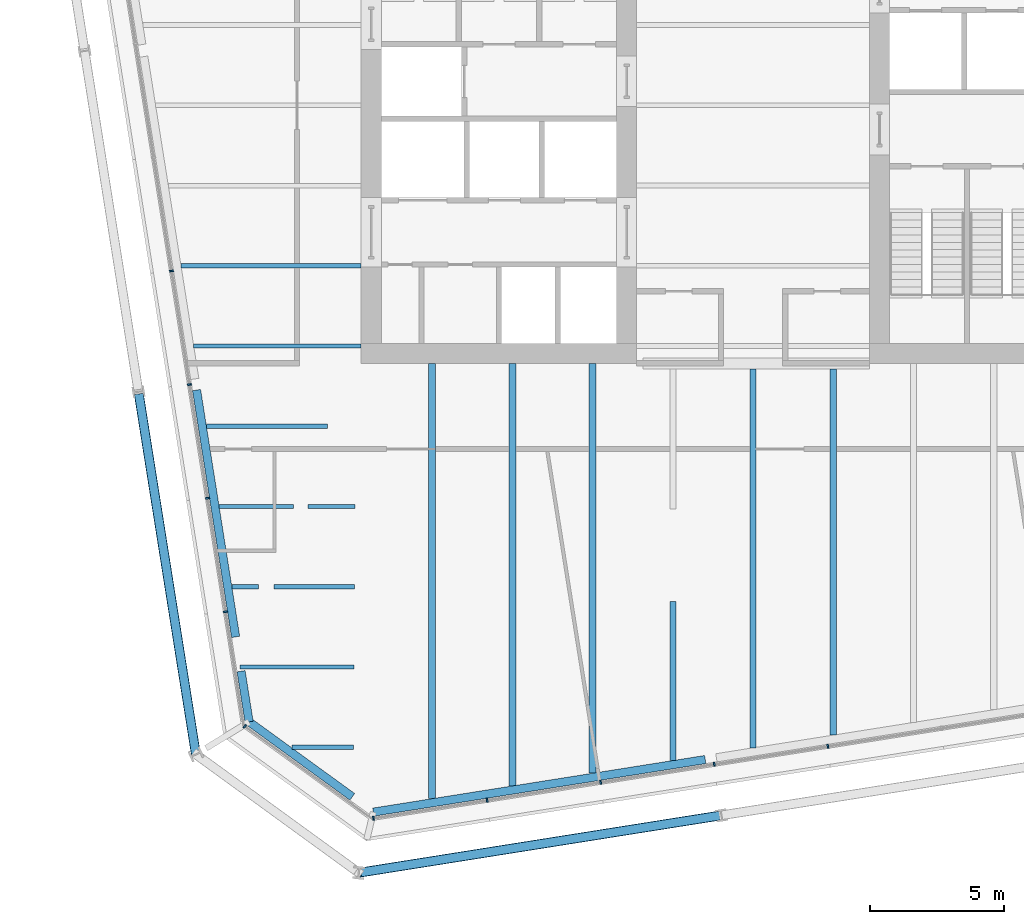
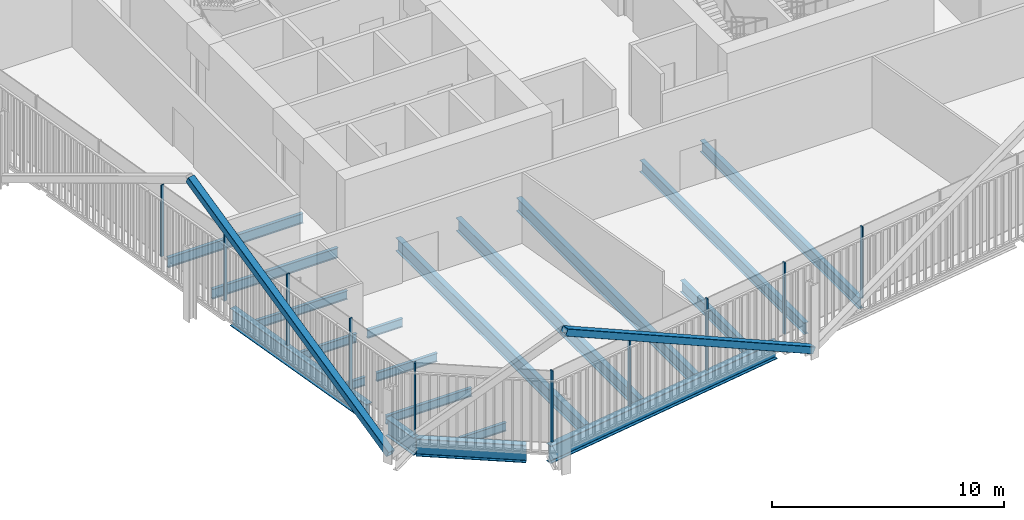
# One storey, part 2 of 19: 19 beams, 12 members, 3 elements without a shape of their own.
"""IFC4 building model written with IfcOpenShell, lengths in metres."""

from ifc_helpers import new_model, si_unit, direction, frame, origin, origin_2d, place, context, subcontext, project, spatial, rectangle, hollow_rectangle, i_section, extrude, material, layer, layer_set, material_profile, profile_set, type_object, element, aggregate, save


model = new_model("IFC4")

# Units and contexts
model_context = context("Model", 3, precision=1e-05, world=origin(), true_north=direction((0.0, 1.0)))
body_context = subcontext(model_context, "Body", "Model", "MODEL_VIEW")
ifc_project = project(units=[si_unit("LENGTHUNIT", "METRE"), si_unit("AREAUNIT", "SQUARE_METRE"), si_unit("VOLUMEUNIT", "CUBIC_METRE"), si_unit("PLANEANGLEUNIT", "RADIAN"), si_unit("MASSUNIT", "GRAM", prefix="KILO")], contexts=[model_context])

# Site, building, storey
site_placement = place(None, origin())
site = spatial("IfcSite", under=ifc_project, at=site_placement, CompositionType="ELEMENT")
building_placement = place(site_placement, origin())
building = spatial("IfcBuilding", under=site, at=building_placement, Name="Millrace Tower", CompositionType="ELEMENT")
storey_placement = place(building_placement, frame((0.0, 0.0, 129.5)))
storey = spatial("IfcBuildingStorey", under=building, at=storey_placement, Name="L28", CompositionType="ELEMENT", Elevation=129.5)

# Curtain wall, member
ifc_material_1 = material(Name="Aluminium and glass", Category="aluminium")
ifc_layer = layer(ifc_material_1, 0.14990234375)
ifc_layer_set = layer_set([ifc_layer], Name="Aluminium and glass")
curtain_wall_type = type_object("IfcCurtainWallType", Name="CW-1 office vision curtain wall", PredefinedType="NOTDEFINED", material=ifc_layer_set)
placement = place(storey_placement, origin())
curtain_wall_1 = element("IfcCurtainWall", 1, at=placement, inside=storey, type_object=curtain_wall_type, Name="Curtain wall C-F01 L28", PredefinedType="NOTDEFINED")
ifc_material_2 = material(Name="Aluminium", Category="aluminium")
ifc_material_profile_1 = material_profile(ifc_material_2, rectangle(XDim=0.06494140625, YDim=0.14990234375, at=origin_2d()))
ifc_profile_set_1 = profile_set([ifc_material_profile_1], Name="Aluminium")
member_type_1 = type_object("IfcMemberType", Name="CW-1 office vision curtain wall mullion", PredefinedType="MULLION", material=ifc_profile_set_1)
member_1_placement = place(storey_placement, frame((-19.00146484375, -23.2177734375, 0.139892578125), z_axis=(0.0, 0.0, 1.0), x_axis=(0.809016981623, -0.587785269844, 0.0)))
member_1 = element("IfcMember", 2, at=member_1_placement, type_object=member_type_1, Name="CW1 mullion C-F01.1", PredefinedType="MULLION", context=body_context, shape_type="SweptSolid", body=[
    extrude(rectangle(XDim=0.06494140625, YDim=0.14990234375, at=origin_2d()), origin(), (0.0, 0.0, 1.0), 3.760009765625),
])
aggregate(curtain_wall_1, [member_1])

# Curtain wall, members
curtain_wall_2 = element("IfcCurtainWall", 3, at=placement, inside=storey, type_object=curtain_wall_type, Name="Curtain wall C-F02 L28", PredefinedType="NOTDEFINED")
member_2_placement = place(storey_placement, frame((-14.191650390625, -26.65673828125, 0.139892578125), z_axis=(0.0, 0.0, 1.0), x_axis=(0.98768833929, 0.15643447328, 0.0)))
member_2 = element("IfcMember", 4, at=member_2_placement, type_object=member_type_1, Name="CW1 mullion C-F02.1", PredefinedType="MULLION", context=body_context, shape_type="SweptSolid", body=[
    extrude(rectangle(XDim=0.06494140625, YDim=0.14990234375, at=origin_2d()), origin(), (0.0, 0.0, 1.0), 3.760009765625),
])
member_3_placement = place(storey_placement, frame((-9.944580078125, -25.98388671875, 0.139892578125), z_axis=(0.0, 0.0, 1.0), x_axis=(0.98768833929, 0.15643447328, 0.0)))
member_3 = element("IfcMember", 5, at=member_3_placement, type_object=member_type_1, Name="CW1 mullion C-F02.2", PredefinedType="MULLION", context=body_context, shape_type="SweptSolid", body=[
    extrude(rectangle(XDim=0.06494140625, YDim=0.14990234375, at=origin_2d()), origin(), (0.0, 0.0, 1.0), 3.760009765625),
])
member_4_placement = place(storey_placement, frame((-5.697509765625, -25.311279296875, 0.139892578125), z_axis=(0.0, 0.0, 1.0), x_axis=(0.98768833929, 0.15643447328, 0.0)))
member_4 = element("IfcMember", 6, at=member_4_placement, type_object=member_type_1, Name="CW1 mullion C-F02.3", PredefinedType="MULLION", context=body_context, shape_type="SweptSolid", body=[
    extrude(rectangle(XDim=0.06494140625, YDim=0.14990234375, at=origin_2d()), origin(), (0.0, 0.0, 1.0), 3.760009765625),
])
member_5_placement = place(storey_placement, frame((-1.450439453125, -24.638671875, 0.139892578125), z_axis=(0.0, 0.0, 1.0), x_axis=(0.98768833929, 0.15643447328, 0.0)))
member_5 = element("IfcMember", 7, at=member_5_placement, type_object=member_type_1, Name="CW1 mullion C-F02.4", PredefinedType="MULLION", context=body_context, shape_type="SweptSolid", body=[
    extrude(rectangle(XDim=0.06494140625, YDim=0.14990234375, at=origin_2d()), origin(), (0.0, 0.0, 1.0), 3.760009765625),
])
member_6_placement = place(storey_placement, frame((2.796630859375, -23.966064453125, 0.139892578125), z_axis=(0.0, 0.0, 1.0), x_axis=(0.98768833929, 0.15643447328, 0.0)))
member_6 = element("IfcMember", 8, at=member_6_placement, type_object=member_type_1, Name="CW1 mullion C-F02.5", PredefinedType="MULLION", context=body_context, shape_type="SweptSolid", body=[
    extrude(rectangle(XDim=0.06494140625, YDim=0.14990234375, at=origin_2d()), origin(), (0.0, 0.0, 1.0), 3.760009765625),
])
aggregate(curtain_wall_2, [member_2, member_3, member_4, member_5, member_6])

curtain_wall_3 = element("IfcCurtainWall", 9, at=placement, inside=storey, type_object=curtain_wall_type, Name="Curtain wall C-F08 L28", PredefinedType="NOTDEFINED")
member_7_placement = place(storey_placement, frame((-21.743408203125, -6.193603515625, 0.139892578125), z_axis=(0.0, 0.0, 1.0), x_axis=(0.15643447328, -0.98768833929, 0.0)))
member_7 = element("IfcMember", 10, at=member_7_placement, type_object=member_type_1, Name="CW1 mullion C-F08.6", PredefinedType="MULLION", context=body_context, shape_type="SweptSolid", body=[
    extrude(rectangle(XDim=0.06494140625, YDim=0.14990234375, at=origin_2d()), origin(), (0.0, 0.0, 1.0), 3.760009765625),
])
member_8_placement = place(storey_placement, frame((-21.070556640625, -10.440673828125, 0.139892578125), z_axis=(0.0, 0.0, 1.0), x_axis=(0.15643447328, -0.98768833929, 0.0)))
member_8 = element("IfcMember", 11, at=member_8_placement, type_object=member_type_1, Name="CW1 mullion C-F08.7", PredefinedType="MULLION", context=body_context, shape_type="SweptSolid", body=[
    extrude(rectangle(XDim=0.06494140625, YDim=0.14990234375, at=origin_2d()), origin(), (0.0, 0.0, 1.0), 3.760009765625),
])
member_9_placement = place(storey_placement, frame((-20.39794921875, -14.687744140625, 0.139892578125), z_axis=(0.0, 0.0, 1.0), x_axis=(0.15643447328, -0.98768833929, 0.0)))
member_9 = element("IfcMember", 12, at=member_9_placement, type_object=member_type_1, Name="CW1 mullion C-F08.8", PredefinedType="MULLION", context=body_context, shape_type="SweptSolid", body=[
    extrude(rectangle(XDim=0.06494140625, YDim=0.14990234375, at=origin_2d()), origin(), (0.0, 0.0, 1.0), 3.760009765625),
])
member_10_placement = place(storey_placement, frame((-19.725341796875, -18.934814453125, 0.139892578125), z_axis=(0.0, 0.0, 1.0), x_axis=(0.15643447328, -0.98768833929, 0.0)))
member_10 = element("IfcMember", 13, at=member_10_placement, type_object=member_type_1, Name="CW1 mullion C-F08.9", PredefinedType="MULLION", context=body_context, shape_type="SweptSolid", body=[
    extrude(rectangle(XDim=0.06494140625, YDim=0.14990234375, at=origin_2d()), origin(), (0.0, 0.0, 1.0), 3.760009765625),
])
aggregate(curtain_wall_3, [member_7, member_8, member_9, member_10])

# Members
ifc_material_3 = material(Name="Steel ASTM A500 Grade C", Category="steel")
ifc_material_profile_2 = material_profile(ifc_material_3, hollow_rectangle(XDim=0.355712890625, YDim=0.355712890625, WallThickness=0.015869140625, InnerFilletRadius=0.008056640625, OuterFilletRadius=0.02392578125, at=origin_2d()))
ifc_profile_set_2 = profile_set([ifc_material_profile_2], Name="Steel ASTM A500 Grade C")
member_type_2 = type_object("IfcMemberType", Name="Exoskeleton brace HSS14x14x5/8", PredefinedType="BRACE", material=ifc_profile_set_2)
member_11_placement = place(storey_placement, frame((-1.181396484375, -26.545166015625, 0.39990234375), z_axis=(-0.879910131664, -0.139353430287, 0.454245287992), x_axis=(0.15642281023, -0.987690186465, 0.0)))
element("IfcMember", 14, at=member_11_placement, inside=storey, type_object=member_type_2, Name="BRC-C-L28-02", PredefinedType="BRACE", context=body_context, shape_type="SweptSolid", body=[
    extrude(hollow_rectangle(XDim=0.355712890625, YDim=0.355712890625, WallThickness=0.015869140625, InnerFilletRadius=0.008056640625, OuterFilletRadius=0.02392578125, at=origin_2d()), origin(), (0.0, 0.0, 1.0), 15.41015625),
])
member_12_placement = place(storey_placement, frame((-20.829345703125, -24.26904296875, 0.39990234375), z_axis=(-0.139370908249, 0.879904612171, 0.454250617407), x_axis=(-0.987687003601, -0.156442906258, 0.0)))
element("IfcMember", 15, at=member_12_placement, inside=storey, type_object=member_type_2, Name="BRC-C-L28-16", PredefinedType="BRACE", context=body_context, shape_type="SweptSolid", body=[
    extrude(hollow_rectangle(XDim=0.355712890625, YDim=0.355712890625, WallThickness=0.015869140625, InnerFilletRadius=0.008056640625, OuterFilletRadius=0.02392578125, at=origin_2d()), origin(), (0.0, 0.0, 1.0), 15.409912109375),
])

# Beams
ifc_material_4 = material(Name="Steel ASTM A992 Grade 50", Category="steel")
ifc_material_profile_3 = material_profile(ifc_material_4, i_section(OverallWidth=0.15234375, OverallDepth=0.449462890625, WebThickness=0.007568359375, FlangeThickness=0.0107421875, FilletRadius=0.01025390625, at=origin_2d()))
ifc_profile_set_3 = profile_set([ifc_material_profile_3], Name="Steel ASTM A992 Grade 50")
beam_type_1 = type_object("IfcBeamType", Name="Floor beam W18x35", PredefinedType="JOIST", material=ifc_profile_set_3)
beam_1_placement = place(storey_placement, frame((-19.18310546875, -21.0, -0.384765625), z_axis=(1.0, 0.0, 0.0), x_axis=(0.0, 1.0, 0.0)))
element("IfcBeam", 16, at=beam_1_placement, inside=storey, type_object=beam_type_1, Name="BM-C-L28-S1-S002", PredefinedType="JOIST", context=body_context, shape_type="SweptSolid", body=[
    extrude(i_section(OverallWidth=0.15234375, OverallDepth=0.449462890625, WebThickness=0.007568359375, FlangeThickness=0.0107421875, FilletRadius=0.01025390625, at=origin_2d()), origin(), (0.0, 0.0, 1.0), 4.26806640625),
])
beam_2_placement = place(storey_placement, frame((-19.486328125, -18.0, -0.384765625), z_axis=(1.0, 0.0, 0.0), x_axis=(0.0, 1.0, 0.0)))
element("IfcBeam", 17, at=beam_2_placement, inside=storey, type_object=beam_type_1, Name="BM-C-L28-S1-S004-a", PredefinedType="JOIST", context=body_context, shape_type="SweptSolid", body=[
    extrude(i_section(OverallWidth=0.15234375, OverallDepth=0.449462890625, WebThickness=0.007568359375, FlangeThickness=0.0107421875, FilletRadius=0.01025390625, at=origin_2d()), origin(), (0.0, 0.0, 1.0), 0.9951171875),
])
beam_3_placement = place(storey_placement, frame((-19.96142578125, -15.0, -0.384765625), z_axis=(1.0, 0.0, 0.0), x_axis=(0.0, 1.0, 0.0)))
element("IfcBeam", 18, at=beam_3_placement, inside=storey, type_object=beam_type_1, Name="BM-C-L28-S1-S006-a", PredefinedType="JOIST", context=body_context, shape_type="SweptSolid", body=[
    extrude(i_section(OverallWidth=0.15234375, OverallDepth=0.449462890625, WebThickness=0.007568359375, FlangeThickness=0.0107421875, FilletRadius=0.01025390625, at=origin_2d()), origin(), (0.0, 0.0, 1.0), 2.786376953125),
])
beam_4_placement = place(storey_placement, frame((-20.4365234375, -12.0, -0.384765625), z_axis=(1.0, 0.0, 0.0), x_axis=(0.0, 1.0, 0.0)))
element("IfcBeam", 19, at=beam_4_placement, inside=storey, type_object=beam_type_1, Name="BM-C-L28-S1-S008", PredefinedType="JOIST", context=body_context, shape_type="SweptSolid", body=[
    extrude(i_section(OverallWidth=0.15234375, OverallDepth=0.449462890625, WebThickness=0.007568359375, FlangeThickness=0.0107421875, FilletRadius=0.01025390625, at=origin_2d()), origin(), (0.0, 0.0, 1.0), 4.529541015625),
])
beam_5_placement = place(storey_placement, frame((-17.246337890625, -24.0, -0.384765625), z_axis=(1.0, 0.0, 0.0), x_axis=(0.0, 1.0, 0.0)))
element("IfcBeam", 20, at=beam_5_placement, inside=storey, type_object=beam_type_1, Name="BM-C-L28-S1-S001", PredefinedType="JOIST", context=body_context, shape_type="SweptSolid", body=[
    extrude(i_section(OverallWidth=0.15234375, OverallDepth=0.449462890625, WebThickness=0.007568359375, FlangeThickness=0.0107421875, FilletRadius=0.01025390625, at=origin_2d()), origin(), (0.0, 0.0, 1.0), 2.31689453125),
])
beam_6_placement = place(storey_placement, frame((-17.916015625, -18.0, -0.384765625), z_axis=(1.0, 0.0, 0.0), x_axis=(0.0, 1.0, 0.0)))
element("IfcBeam", 21, at=beam_6_placement, inside=storey, type_object=beam_type_1, Name="BM-C-L28-S1-S004-b", PredefinedType="JOIST", context=body_context, shape_type="SweptSolid", body=[
    extrude(i_section(OverallWidth=0.15234375, OverallDepth=0.449462890625, WebThickness=0.007568359375, FlangeThickness=0.0107421875, FilletRadius=0.01025390625, at=origin_2d()), origin(), (0.0, 0.0, 1.0), 3.015380859375),
])
beam_7_placement = place(storey_placement, frame((-16.647705078125, -15.0, -0.384765625), z_axis=(1.0, 0.0, 0.0), x_axis=(0.0, 1.0, 0.0)))
element("IfcBeam", 22, at=beam_7_placement, inside=storey, type_object=beam_type_1, Name="BM-C-L28-S1-S006-b", PredefinedType="JOIST", context=body_context, shape_type="SweptSolid", body=[
    extrude(i_section(OverallWidth=0.15234375, OverallDepth=0.449462890625, WebThickness=0.007568359375, FlangeThickness=0.0107421875, FilletRadius=0.01025390625, at=origin_2d()), origin(), (0.0, 0.0, 1.0), 1.76123046875),
])
ifc_material_5 = material(Name="Steel ASTM A992 Grade 50", Category="steel")
ifc_material_profile_4 = material_profile(ifc_material_5, i_section(OverallWidth=0.1650390625, OverallDepth=0.52587890625, WebThickness=0.0087890625, FlangeThickness=0.011474609375, FilletRadius=0.0126953125, at=origin_2d()))
ifc_profile_set_4 = profile_set([ifc_material_profile_4], Name="Steel ASTM A992 Grade 50")
beam_type_2 = type_object("IfcBeamType", Name="Floor beam W21x44", PredefinedType="JOIST", material=ifc_profile_set_4)
beam_8_placement = place(storey_placement, frame((-20.91162109375, -9.0, -0.4228515625), z_axis=(1.0, 0.0, 0.0), x_axis=(0.0, 1.0, 0.0)))
element("IfcBeam", 23, at=beam_8_placement, inside=storey, type_object=beam_type_2, Name="BM-C-L28-S1-S011", PredefinedType="JOIST", context=body_context, shape_type="SweptSolid", body=[
    extrude(i_section(OverallWidth=0.1650390625, OverallDepth=0.52587890625, WebThickness=0.0087890625, FlangeThickness=0.011474609375, FilletRadius=0.0126953125, at=origin_2d()), origin(), (0.0, 0.0, 1.0), 6.26171875),
])
beam_9_placement = place(storey_placement, frame((-21.386962890625, -6.0, -0.4228515625), z_axis=(1.0, 0.0, 0.0), x_axis=(0.0, 1.0, 0.0)))
element("IfcBeam", 24, at=beam_9_placement, inside=storey, type_object=beam_type_2, Name="BM-C-L28-S1-S014", PredefinedType="JOIST", context=body_context, shape_type="SweptSolid", body=[
    extrude(i_section(OverallWidth=0.1650390625, OverallDepth=0.52587890625, WebThickness=0.0087890625, FlangeThickness=0.011474609375, FilletRadius=0.0126953125, at=origin_2d()), origin(), (0.0, 0.0, 1.0), 6.737060546875),
])
ifc_material_6 = material(Name="Steel ASTM A992 Grade 50", Category="steel")
ifc_material_profile_5 = material_profile(ifc_material_6, i_section(OverallWidth=0.228271484375, OverallDepth=0.607177734375, WebThickness=0.01123046875, FlangeThickness=0.017333984375, FilletRadius=0.0126953125, at=origin_2d()))
ifc_profile_set_5 = profile_set([ifc_material_profile_5], Name="Steel ASTM A992 Grade 50")
beam_type_3 = type_object("IfcBeamType", Name="Floor beam W24x76", PredefinedType="JOIST", material=ifc_profile_set_5)
beam_10_placement = place(storey_placement, frame((0.0, -24.021728515625, -0.463623046875), z_axis=(0.0, 1.0, 0.0), x_axis=(-1.0, 0.0, 0.0)))
element("IfcBeam", 25, at=beam_10_placement, inside=storey, type_object=beam_type_3, Name="BM-C-L28-S1-S048", PredefinedType="JOIST", context=body_context, shape_type="SweptSolid", body=[
    extrude(i_section(OverallWidth=0.228271484375, OverallDepth=0.607177734375, WebThickness=0.01123046875, FlangeThickness=0.017333984375, FilletRadius=0.0126953125, at=origin_2d()), origin(), (0.0, 0.0, 1.0), 14.162109375),
])
beam_11_placement = place(storey_placement, frame((3.0, -23.546630859375, -0.463623046875), z_axis=(0.0, 1.0, 0.0), x_axis=(-1.0, 0.0, 0.0)))
element("IfcBeam", 26, at=beam_11_placement, inside=storey, type_object=beam_type_3, Name="BM-C-L28-S1-S050", PredefinedType="JOIST", context=body_context, shape_type="SweptSolid", body=[
    extrude(i_section(OverallWidth=0.228271484375, OverallDepth=0.607177734375, WebThickness=0.01123046875, FlangeThickness=0.017333984375, FilletRadius=0.0126953125, at=origin_2d()), origin(), (0.0, 0.0, 1.0), 13.68701171875),
])
beam_12_placement = place(storey_placement, frame((-3.0, -24.4970703125, -0.463623046875), z_axis=(0.0, 1.0, 0.0), x_axis=(-1.0, 0.0, 0.0)))
element("IfcBeam", 27, at=beam_12_placement, inside=storey, type_object=beam_type_3, Name="BM-C-L28-S1-S046-a", PredefinedType="JOIST", context=body_context, shape_type="SweptSolid", body=[
    extrude(i_section(OverallWidth=0.228271484375, OverallDepth=0.607177734375, WebThickness=0.01123046875, FlangeThickness=0.017333984375, FilletRadius=0.0126953125, at=origin_2d()), origin(), (0.0, 0.0, 1.0), 5.952392578125),
])
ifc_material_7 = material(Name="Steel ASTM A992 Grade 50", Category="steel")
ifc_material_profile_6 = material_profile(ifc_material_7, i_section(OverallWidth=0.256591796875, OverallDepth=0.693359375, WebThickness=0.014404296875, FlangeThickness=0.023681640625, FilletRadius=0.01513671875, at=origin_2d()))
ifc_profile_set_6 = profile_set([ifc_material_profile_6], Name="Steel ASTM A992 Grade 50")
beam_type_4 = type_object("IfcBeamType", Name="Floor beam W27x114", PredefinedType="JOIST", material=ifc_profile_set_6)
beam_13_placement = place(storey_placement, frame((-12.0, -25.92236328125, -0.506591796875), z_axis=(0.0, 1.0, 0.0), x_axis=(-1.0, 0.0, 0.0)))
element("IfcBeam", 28, at=beam_13_placement, inside=storey, type_object=beam_type_4, Name="BM-C-L28-S1-S040", PredefinedType="JOIST", context=body_context, shape_type="SweptSolid", body=[
    extrude(i_section(OverallWidth=0.256591796875, OverallDepth=0.693359375, WebThickness=0.014404296875, FlangeThickness=0.023681640625, FilletRadius=0.01513671875, at=origin_2d()), origin(), (0.0, 0.0, 1.0), 16.2724609375),
])
beam_14_placement = place(storey_placement, frame((-9.0, -25.447265625, -0.506591796875), z_axis=(0.0, 1.0, 0.0), x_axis=(-1.0, 0.0, 0.0)))
element("IfcBeam", 29, at=beam_14_placement, inside=storey, type_object=beam_type_4, Name="BM-C-L28-S1-S042", PredefinedType="JOIST", context=body_context, shape_type="SweptSolid", body=[
    extrude(i_section(OverallWidth=0.256591796875, OverallDepth=0.693359375, WebThickness=0.014404296875, FlangeThickness=0.023681640625, FilletRadius=0.01513671875, at=origin_2d()), origin(), (0.0, 0.0, 1.0), 15.79736328125),
])
beam_15_placement = place(storey_placement, frame((-6.0, -24.97216796875, -0.506591796875), z_axis=(0.0, 1.0, 0.0), x_axis=(-1.0, 0.0, 0.0)))
element("IfcBeam", 30, at=beam_15_placement, inside=storey, type_object=beam_type_4, Name="BM-C-L28-S1-S044", PredefinedType="JOIST", context=body_context, shape_type="SweptSolid", body=[
    extrude(i_section(OverallWidth=0.256591796875, OverallDepth=0.693359375, WebThickness=0.014404296875, FlangeThickness=0.023681640625, FilletRadius=0.01513671875, at=origin_2d()), origin(), (0.0, 0.0, 1.0), 15.322265625),
])
ifc_material_8 = material(Name="Steel ASTM A992 Grade 50", Category="steel")
ifc_material_profile_7 = material_profile(ifc_material_8, i_section(OverallWidth=0.307373046875, OverallDepth=0.927001953125, WebThickness=0.01953125, FlangeThickness=0.031982421875, FilletRadius=0.01904296875, at=origin_2d()))
ifc_profile_set_7 = profile_set([ifc_material_profile_7], Name="Steel ASTM A992 Grade 50")
beam_type_5 = type_object("IfcBeamType", Name="Ring beam medium span W36x194", PredefinedType="SPANDREL", material=ifc_profile_set_7)
beam_16_placement = place(storey_placement, frame((-1.786865234375, -24.46044921875, -0.62353515625), z_axis=(-0.987687858692, -0.15643750763, 0.0), x_axis=(0.15643750763, -0.987687858692, 0.0)))
element("IfcBeam", 31, at=beam_16_placement, inside=storey, type_object=beam_type_5, Name="RNG-C-L28-S1-15", PredefinedType="SPANDREL", context=body_context, shape_type="SweptSolid", body=[
    extrude(i_section(OverallWidth=0.307373046875, OverallDepth=0.927001953125, WebThickness=0.01953125, FlangeThickness=0.031982421875, FilletRadius=0.01904296875, at=origin_2d()), origin(), (0.0, 0.0, 1.0), 12.564697265625),
])
ifc_material_9 = material(Name="Steel ASTM A992 Grade 50", Category="steel")
ifc_material_profile_8 = material_profile(ifc_material_9, i_section(OverallWidth=0.307373046875, OverallDepth=0.927001953125, WebThickness=0.01953125, FlangeThickness=0.031982421875, FilletRadius=0.01904296875, at=origin_2d()))
ifc_profile_set_8 = profile_set([ifc_material_profile_8], Name="Steel ASTM A992 Grade 50")
beam_type_6 = type_object("IfcBeamType", Name="Ring beam short span W36x194", PredefinedType="SPANDREL", material=ifc_profile_set_8)
beam_17_placement = place(storey_placement, frame((-18.841796875, -23.051025390625, -0.62353515625), z_axis=(-0.156420429706, 0.987690563471, 0.0), x_axis=(-0.987690563471, -0.156420429706, 0.0)))
element("IfcBeam", 32, at=beam_17_placement, inside=storey, type_object=beam_type_6, Name="RNG-C-L28-S1-01-a", PredefinedType="SPANDREL", context=body_context, shape_type="SweptSolid", body=[
    extrude(i_section(OverallWidth=0.307373046875, OverallDepth=0.927001953125, WebThickness=0.01953125, FlangeThickness=0.031982421875, FilletRadius=0.01904296875, at=origin_2d()), origin(), (0.0, 0.0, 1.0), 1.916748046875),
])
beam_18_placement = place(storey_placement, frame((-19.344970703125, -19.875, -0.62353515625), z_axis=(-0.156428128244, 0.987689344224, 0.0), x_axis=(-0.987689344224, -0.156428128244, 0.0)))
element("IfcBeam", 33, at=beam_18_placement, inside=storey, type_object=beam_type_6, Name="RNG-C-L28-S1-01-b", PredefinedType="SPANDREL", context=body_context, shape_type="SweptSolid", body=[
    extrude(i_section(OverallWidth=0.307373046875, OverallDepth=0.927001953125, WebThickness=0.01953125, FlangeThickness=0.031982421875, FilletRadius=0.01904296875, at=origin_2d()), origin(), (0.0, 0.0, 1.0), 9.343994140625),
])
beam_19_placement = place(storey_placement, frame((-14.983642578125, -25.854248046875, -0.62353515625), z_axis=(-0.809006077742, 0.587800277456, 0.0), x_axis=(-0.587800277456, -0.809006077742, 0.0)))
element("IfcBeam", 34, at=beam_19_placement, inside=storey, type_object=beam_type_6, Name="RNG-C-L28-S1-16", PredefinedType="SPANDREL", context=body_context, shape_type="SweptSolid", body=[
    extrude(i_section(OverallWidth=0.307373046875, OverallDepth=0.927001953125, WebThickness=0.01953125, FlangeThickness=0.031982421875, FilletRadius=0.01904296875, at=origin_2d()), origin(), (0.0, 0.0, 1.0), 4.76904296875),
])

save(model, "model.ifc")
